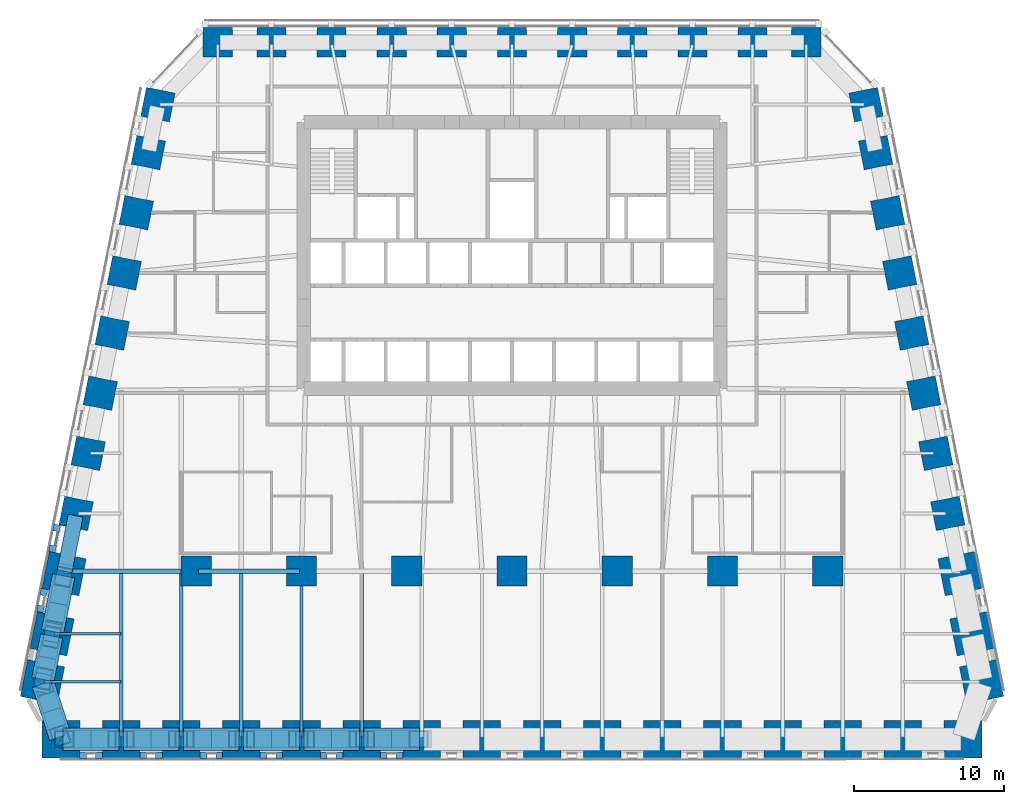
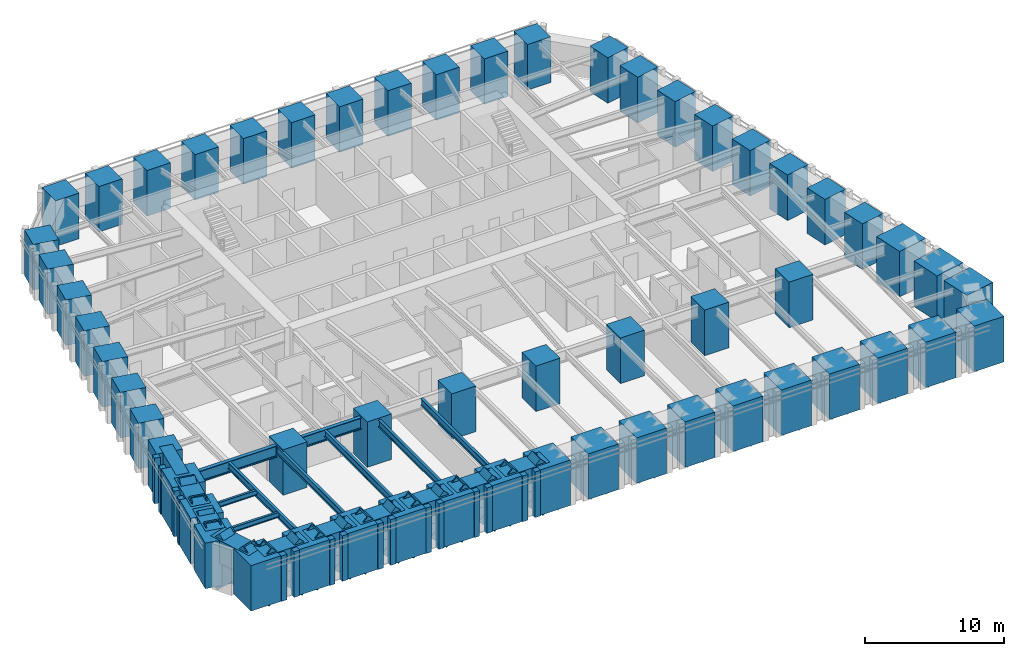
# One storey, part 1 of 16: 56 columns, 35 members, 19 beams, 8 elements without a shape of their own.
"""IFC4 building model written with IfcOpenShell, lengths in metres."""

from ifc_helpers import new_model, si_unit, direction, frame, origin, origin_2d, place, context, subcontext, project, spatial, rectangle, hollow_rectangle, i_section, extrude, material, material_profile, profile_set, type_object, element, aggregate, save


model = new_model("IFC4")

# Units and contexts
model_context = context("Model", 3, precision=1e-05, world=origin(), true_north=direction((0.0, 1.0)))
body_context = subcontext(model_context, "Body", "Model", "MODEL_VIEW")
ifc_project = project(units=[si_unit("LENGTHUNIT", "METRE"), si_unit("AREAUNIT", "SQUARE_METRE"), si_unit("VOLUMEUNIT", "CUBIC_METRE"), si_unit("PLANEANGLEUNIT", "RADIAN"), si_unit("MASSUNIT", "GRAM", prefix="KILO")], contexts=[model_context])

# Site, building, storey
site_placement = place(None, origin())
site = spatial("IfcSite", under=ifc_project, at=site_placement, CompositionType="ELEMENT")
building_placement = place(site_placement, origin())
building = spatial("IfcBuilding", under=site, at=building_placement, Name="Isbrekke Arena Tower", CompositionType="ELEMENT")
storey_placement = place(building_placement, frame((0.0, 0.0, 36.0)))
storey = spatial("IfcBuildingStorey", under=building, at=storey_placement, Name="L06", CompositionType="ELEMENT", Elevation=36.0)

# Columns
ifc_material_1 = material(Name="Concrete B90 (C90/105)", Category="concrete")
ifc_material_profile_1 = material_profile(ifc_material_1, rectangle(XDim=2.0, YDim=2.0, at=origin_2d()), Name="RC 2000x2000")
ifc_profile_set_1 = profile_set([ifc_material_profile_1], Name="Concrete B90 (C90/105)")
column_type_1 = type_object("IfcColumnType", Name="C11 RC 2000 x 2000", PredefinedType="COLUMN", material=ifc_profile_set_1)
for number, where, z_axis, x_axis, name in (
    (1, (-21.0, -6.0, 0.0), (0.0, 0.0, 1.0), (1.0, 0.0, 0.0), "C11 I01"),
    (2, (-14.0, -6.0, 0.0), (0.0, 0.0, 1.0), (1.0, 0.0, 0.0), "C11 I02"),
    (3, (-7.0, -6.0, 0.0), (0.0, 0.0, 1.0), (1.0, 0.0, 0.0), "C11 I03"),
    (4, (0.0, -6.0, 0.0), (0.0, 0.0, 1.0), (1.0, 0.0, 0.0), "C11 I04"),
    (5, (7.0, -6.0, 0.0), (0.0, 0.0, 1.0), (1.0, 0.0, 0.0), "C11 I05"),
    (6, (14.0, -6.0, 0.0), (0.0, 0.0, 1.0), (1.0, 0.0, 0.0), "C11 I06"),
    (7, (21.0, -6.0, 0.0), (0.0, 0.0, 1.0), (1.0, 0.0, 0.0), "C11 I07"),
):
    element("IfcColumn", number, at=place(storey_placement, frame(where, z_axis=z_axis, x_axis=x_axis)), inside=storey, type_object=column_type_1, Name=name, PredefinedType="COLUMN", context=body_context, shape_type="SweptSolid", body=[
        extrude(rectangle(XDim=2.0, YDim=2.0, at=origin_2d()), origin(), (0.0, 0.0, 1.0), 4.0),
    ])
ifc_material_2 = material(Name="Concrete B90 (C90/105)", Category="concrete")
ifc_material_profile_2 = material_profile(ifc_material_2, rectangle(XDim=1.949951171875, YDim=1.949951171875, at=origin_2d()), Name="RC 1950x1950")
ifc_profile_set_2 = profile_set([ifc_material_profile_2], Name="Concrete B90 (C90/105)")
column_type_2 = type_object("IfcColumnType", Name="C2 RC 1950 x 1950", PredefinedType="COLUMN", material=ifc_profile_set_2)
for number, where, z_axis, x_axis, name in (
    (8, (28.990966796875, -2.161865234375, 0.0), (0.0, 0.0, 1.0), (-0.196116135138, 0.980580675691, 0.0), "C2 E04"),
    (9, (28.19091796875, 1.838134765625, 0.0), (0.0, 0.0, 1.0), (-0.196116135138, 0.980580675691, 0.0), "C2 E05"),
    (10, (27.39111328125, 5.838134765625, 0.0), (0.0, 0.0, 1.0), (-0.196116135138, 0.980580675691, 0.0), "C2 E06"),
    (11, (26.591064453125, 9.838134765625, 0.0), (0.0, 0.0, 1.0), (-0.196116135138, 0.980580675691, 0.0), "C2 E07"),
    (12, (25.791015625, 13.838134765625, 0.0), (0.0, 0.0, 1.0), (-0.196116135138, 0.980580675691, 0.0), "C2 E08"),
    (13, (24.990966796875, 17.838134765625, 0.0), (0.0, 0.0, 1.0), (-0.196116135138, 0.980580675691, 0.0), "C2 E09"),
    (14, (24.19091796875, 21.838134765625, 0.0), (0.0, 0.0, 1.0), (-0.196116135138, 0.980580675691, 0.0), "C2 E10"),
    (15, (23.552734375, 25.029296875, 0.0), (0.0, 0.0, 1.0), (-0.196116135138, 0.980580675691, 0.0), "C2 E11"),
    (16, (19.574951171875, 29.175048828125, 0.0), (0.0, 0.0, 1.0), (-1.0, 0.0, 0.0), "C2 N01"),
    (17, (16.0, 29.175048828125, 0.0), (0.0, 0.0, 1.0), (-1.0, 0.0, 0.0), "C2 N02"),
    (18, (12.0, 29.175048828125, 0.0), (0.0, 0.0, 1.0), (-1.0, 0.0, 0.0), "C2 N03"),
    (19, (8.0, 29.175048828125, 0.0), (0.0, 0.0, 1.0), (-1.0, 0.0, 0.0), "C2 N04"),
    (20, (4.0, 29.175048828125, 0.0), (0.0, 0.0, 1.0), (-1.0, 0.0, 0.0), "C2 N05"),
    (21, (0.0, 29.175048828125, 0.0), (0.0, 0.0, 1.0), (-1.0, 0.0, 0.0), "C2 N06"),
    (22, (-4.0, 29.175048828125, 0.0), (0.0, 0.0, 1.0), (-1.0, 0.0, 0.0), "C2 N07"),
    (23, (-8.0, 29.175048828125, 0.0), (0.0, 0.0, 1.0), (-1.0, 0.0, 0.0), "C2 N08"),
    (24, (-12.0, 29.175048828125, 0.0), (0.0, 0.0, 1.0), (-1.0, 0.0, 0.0), "C2 N09"),
    (25, (-16.0, 29.175048828125, 0.0), (0.0, 0.0, 1.0), (-1.0, 0.0, 0.0), "C2 N10"),
    (26, (-19.574951171875, 29.175048828125, 0.0), (0.0, 0.0, 1.0), (-1.0, 0.0, 0.0), "C2 N11"),
    (27, (-23.552734375, 25.029296875, 0.0), (0.0, 0.0, 1.0), (-0.196116135138, -0.980580675691, 0.0), "C2 W01"),
    (28, (-24.19091796875, 21.838134765625, 0.0), (0.0, 0.0, 1.0), (-0.196116135138, -0.980580675691, 0.0), "C2 W02"),
    (29, (-24.990966796875, 17.838134765625, 0.0), (0.0, 0.0, 1.0), (-0.196116135138, -0.980580675691, 0.0), "C2 W03"),
    (30, (-25.791015625, 13.838134765625, 0.0), (0.0, 0.0, 1.0), (-0.196116135138, -0.980580675691, 0.0), "C2 W04"),
    (31, (-26.591064453125, 9.838134765625, 0.0), (0.0, 0.0, 1.0), (-0.196116135138, -0.980580675691, 0.0), "C2 W05"),
    (32, (-27.39111328125, 5.838134765625, 0.0), (0.0, 0.0, 1.0), (-0.196116135138, -0.980580675691, 0.0), "C2 W06"),
    (33, (-28.19091796875, 1.838134765625, 0.0), (0.0, 0.0, 1.0), (-0.196116135138, -0.980580675691, 0.0), "C2 W07"),
    (34, (-28.990966796875, -2.161865234375, 0.0), (0.0, 0.0, 1.0), (-0.196116135138, -0.980580675691, 0.0), "C2 W08"),
):
    element("IfcColumn", number, at=place(storey_placement, frame(where, z_axis=z_axis, x_axis=x_axis)), inside=storey, type_object=column_type_2, Name=name, PredefinedType="COLUMN", context=body_context, shape_type="SweptSolid", body=[
        extrude(rectangle(XDim=1.949951171875, YDim=1.949951171875, at=origin_2d()), origin(), (0.0, 0.0, 1.0), 4.0),
    ])
ifc_material_3 = material(Name="Concrete B90 (C90/105)", Category="concrete")
ifc_material_profile_3 = material_profile(ifc_material_3, rectangle(XDim=2.5, YDim=2.5, at=origin_2d()), Name="RC 2500x2500")
ifc_profile_set_3 = profile_set([ifc_material_profile_3], Name="Concrete B90 (C90/105)")
column_type_3 = type_object("IfcColumnType", Name="C20 RC 2500 x 2500", PredefinedType="COLUMN", material=ifc_profile_set_3)
for number, where, z_axis, x_axis, name in (
    (35, (-30.0, -17.175048828125, 0.0), (0.0, 0.0, 1.0), (1.0, 0.0, 0.0), "C20 S01"),
    (36, (-26.0, -17.175048828125, 0.0), (0.0, 0.0, 1.0), (1.0, 0.0, 0.0), "C20 S02"),
    (37, (-22.0, -17.175048828125, 0.0), (0.0, 0.0, 1.0), (1.0, 0.0, 0.0), "C20 S03"),
    (38, (-18.0, -17.175048828125, 0.0), (0.0, 0.0, 1.0), (1.0, 0.0, 0.0), "C20 S04"),
    (39, (-14.0, -17.175048828125, 0.0), (0.0, 0.0, 1.0), (1.0, 0.0, 0.0), "C20 S05"),
    (40, (-10.0, -17.175048828125, 0.0), (0.0, 0.0, 1.0), (1.0, 0.0, 0.0), "C20 S06"),
    (41, (-6.0, -17.175048828125, 0.0), (0.0, 0.0, 1.0), (1.0, 0.0, 0.0), "C20 S07"),
    (42, (-2.0, -17.175048828125, 0.0), (0.0, 0.0, 1.0), (1.0, 0.0, 0.0), "C20 S08"),
    (43, (2.0, -17.175048828125, 0.0), (0.0, 0.0, 1.0), (1.0, 0.0, 0.0), "C20 S09"),
    (44, (6.0, -17.175048828125, 0.0), (0.0, 0.0, 1.0), (1.0, 0.0, 0.0), "C20 S10"),
    (45, (10.0, -17.175048828125, 0.0), (0.0, 0.0, 1.0), (1.0, 0.0, 0.0), "C20 S11"),
    (46, (14.0, -17.175048828125, 0.0), (0.0, 0.0, 1.0), (1.0, 0.0, 0.0), "C20 S12"),
    (47, (18.0, -17.175048828125, 0.0), (0.0, 0.0, 1.0), (1.0, 0.0, 0.0), "C20 S13"),
    (48, (22.0, -17.175048828125, 0.0), (0.0, 0.0, 1.0), (1.0, 0.0, 0.0), "C20 S14"),
    (49, (26.0, -17.175048828125, 0.0), (0.0, 0.0, 1.0), (1.0, 0.0, 0.0), "C20 S15"),
    (50, (30.0, -17.175048828125, 0.0), (0.0, 0.0, 1.0), (1.0, 0.0, 0.0), "C20 S16"),
    (51, (31.229248046875, -13.352783203125, 0.0), (0.0, 0.0, 1.0), (-0.196116135138, 0.980580675691, 0.0), "C20 E01"),
    (52, (30.591064453125, -10.161865234375, 0.0), (0.0, 0.0, 1.0), (-0.196116135138, 0.980580675691, 0.0), "C20 E02"),
    (53, (29.791015625, -6.161865234375, 0.0), (0.0, 0.0, 1.0), (-0.196116135138, 0.980580675691, 0.0), "C20 E03"),
    (54, (-29.791015625, -6.161865234375, 0.0), (0.0, 0.0, 1.0), (-0.196116135138, -0.980580675691, 0.0), "C20 W09"),
    (55, (-30.591064453125, -10.161865234375, 0.0), (0.0, 0.0, 1.0), (-0.196116135138, -0.980580675691, 0.0), "C20 W10"),
    (56, (-31.229248046875, -13.352783203125, 0.0), (0.0, 0.0, 1.0), (-0.196116135138, -0.980580675691, 0.0), "C20 W11"),
):
    element("IfcColumn", number, at=place(storey_placement, frame(where, z_axis=z_axis, x_axis=x_axis)), inside=storey, type_object=column_type_3, Name=name, PredefinedType="COLUMN", context=body_context, shape_type="SweptSolid", body=[
        extrude(rectangle(XDim=2.5, YDim=2.5, at=origin_2d()), origin(), (0.0, 0.0, 1.0), 4.0),
    ])

# Beams
ifc_material_4 = material(Name="Steel S355", Category="steel")
ifc_material_profile_4 = material_profile(ifc_material_4, i_section(OverallWidth=0.219970703125, OverallDepth=0.60009765625, WebThickness=0.011962890625, FlangeThickness=0.01904296875, FilletRadius=0.02392578125, at=origin_2d()), Name="IPE 600")
ifc_profile_set_4 = profile_set([ifc_material_profile_4], Name="Steel S355")
beam_type_1 = type_object("IfcBeamType", Name="B1 IPE 600", PredefinedType="BEAM", material=ifc_profile_set_4)
for number, where, z_axis, x_axis, name in (
    (57, (-26.0, -17.02490234375, 3.550048828125), (0.0, 1.0, 0.0), (-1.0, 0.0, 0.0), "B1 beam S-S02 L06"),
    (58, (-22.0, -17.02490234375, 3.550048828125), (0.0, 1.0, 0.0), (-1.0, 0.0, 0.0), "B1 beam S-S03 L06"),
    (59, (-18.0, -17.02490234375, 3.550048828125), (0.0, 1.0, 0.0), (-1.0, 0.0, 0.0), "B1 beam S-S04 L06"),
):
    element("IfcBeam", number, at=place(storey_placement, frame(where, z_axis=z_axis, x_axis=x_axis)), inside=storey, type_object=beam_type_1, Name=name, PredefinedType="BEAM", context=body_context, shape_type="SweptSolid", body=[
        extrude(i_section(OverallWidth=0.219970703125, OverallDepth=0.60009765625, WebThickness=0.011962890625, FlangeThickness=0.01904296875, FilletRadius=0.02392578125, at=origin_2d()), origin(), (0.0, 0.0, 1.0), 10.8740234375),
    ])
beam_1_placement = place(storey_placement, frame((-14.0, -17.02490234375, 3.550048828125), z_axis=(0.0, 1.0, 0.0), x_axis=(-1.0, 0.0, 0.0)))
element("IfcBeam", 60, at=beam_1_placement, inside=storey, type_object=beam_type_1, Name="B1 beam S-S05 L06", PredefinedType="BEAM", context=body_context, shape_type="SweptSolid", body=[
    extrude(i_section(OverallWidth=0.219970703125, OverallDepth=0.60009765625, WebThickness=0.011962890625, FlangeThickness=0.01904296875, FilletRadius=0.02392578125, at=origin_2d()), origin(), (0.0, 0.0, 1.0), 10.875),
])
beam_2_placement = place(storey_placement, frame((-10.0, -17.02490234375, 3.550048828125), z_axis=(0.0, 1.0, 0.0), x_axis=(-1.0, 0.0, 0.0)))
element("IfcBeam", 61, at=beam_2_placement, inside=storey, type_object=beam_type_1, Name="B1 beam S-S06 L06", PredefinedType="BEAM", context=body_context, shape_type="SweptSolid", body=[
    extrude(i_section(OverallWidth=0.219970703125, OverallDepth=0.60009765625, WebThickness=0.011962890625, FlangeThickness=0.01904296875, FilletRadius=0.02392578125, at=origin_2d()), origin(), (0.0, 0.0, 1.0), 10.8740234375),
])
ifc_material_5 = material(Name="Steel S355", Category="steel")
ifc_material_profile_5 = material_profile(ifc_material_5, i_section(OverallWidth=0.18994140625, OverallDepth=0.449951171875, WebThickness=0.009521484375, FlangeThickness=0.0146484375, FilletRadius=0.02099609375, at=origin_2d()), Name="IPE 450")
ifc_profile_set_5 = profile_set([ifc_material_profile_5], Name="Steel S355")
beam_type_2 = type_object("IfcBeamType", Name="B2 IPE 450", PredefinedType="BEAM", material=ifc_profile_set_5)
beam_3_placement = place(storey_placement, frame((-30.44091796875, -10.161865234375, 3.625), z_axis=(1.0, 0.0, 0.0), x_axis=(0.0, 1.0, 0.0)))
element("IfcBeam", 62, at=beam_3_placement, inside=storey, type_object=beam_type_2, Name="B2 beam E-W10 L06", PredefinedType="BEAM", context=body_context, shape_type="SweptSolid", body=[
    extrude(i_section(OverallWidth=0.18994140625, OverallDepth=0.449951171875, WebThickness=0.009521484375, FlangeThickness=0.0146484375, FilletRadius=0.02099609375, at=origin_2d()), origin(), (0.0, 0.0, 1.0), 4.44091796875),
])
beam_4_placement = place(storey_placement, frame((-31.079345703125, -13.352783203125, 3.625), z_axis=(1.0, 0.0, 0.0), x_axis=(0.0, 1.0, 0.0)))
element("IfcBeam", 63, at=beam_4_placement, inside=storey, type_object=beam_type_2, Name="B2 beam E-W11 L06", PredefinedType="BEAM", context=body_context, shape_type="SweptSolid", body=[
    extrude(i_section(OverallWidth=0.18994140625, OverallDepth=0.449951171875, WebThickness=0.009521484375, FlangeThickness=0.0146484375, FilletRadius=0.02099609375, at=origin_2d()), origin(), (0.0, 0.0, 1.0), 5.079345703125),
])

# Curtain wall, members
ifc_material_6 = material(Name="Glazed aluminium curtain wall", Category="aluminium")
curtain_wall_type = type_object("IfcCurtainWallType", Name="CWL TOWER CURTAIN WALL LOW ZONE", PredefinedType="USERDEFINED", material=ifc_material_6)
curtain_wall_1_placement = place(storey_placement, origin())
curtain_wall_1 = element("IfcCurtainWall", 64, at=curtain_wall_1_placement, inside=storey, type_object=curtain_wall_type, Name="CWL curtain wall L06-S", ObjectType="TOWER CURTAIN WALL LOW ZONE", PredefinedType="USERDEFINED")
ifc_material_7 = material(Name="Aluminium mullion, pale brick slip cladding", Category="masonry")
ifc_material_profile_6 = material_profile(ifc_material_7, rectangle(XDim=0.449951171875, YDim=0.449951171875, at=origin_2d()), Name="PIER 450X450")
ifc_profile_set_6 = profile_set([ifc_material_profile_6], Name="Aluminium mullion, pale brick slip cladding")
member_type_1 = type_object("IfcMemberType", Name="CWL-M PIER MULLION 450 x 450", PredefinedType="MULLION", material=ifc_profile_set_6)
member_1_placement = place(storey_placement, frame((-28.527099609375, -18.25, 0.0), z_axis=(0.0, 0.0, 1.0), x_axis=(1.0, 0.0, 0.0)))
member_1 = element("IfcMember", 65, at=member_1_placement, type_object=member_type_1, Name="CWL-M mullion 1", PredefinedType="MULLION", context=body_context, shape_type="SweptSolid", body=[
    extrude(rectangle(XDim=0.449951171875, YDim=0.449951171875, at=origin_2d()), origin(), (0.0, 0.0, 1.0), 4.0),
])
member_2_placement = place(storey_placement, frame((-27.47509765625, -18.25, 0.0), z_axis=(0.0, 0.0, 1.0), x_axis=(1.0, 0.0, 0.0)))
member_2 = element("IfcMember", 66, at=member_2_placement, type_object=member_type_1, Name="CWL-M mullion 2", PredefinedType="MULLION", context=body_context, shape_type="SweptSolid", body=[
    extrude(rectangle(XDim=0.449951171875, YDim=0.449951171875, at=origin_2d()), origin(), (0.0, 0.0, 1.0), 4.0),
])
aggregate(curtain_wall_1, [member_1, member_2])

curtain_wall_2_placement = place(storey_placement, origin())
curtain_wall_2 = element("IfcCurtainWall", 67, at=curtain_wall_2_placement, inside=storey, type_object=curtain_wall_type, Name="CWL curtain wall L06-S3", ObjectType="TOWER CURTAIN WALL LOW ZONE", PredefinedType="USERDEFINED")
member_3_placement = place(storey_placement, frame((-24.52490234375, -18.25, 0.0), z_axis=(0.0, 0.0, 1.0), x_axis=(1.0, 0.0, 0.0)))
member_3 = element("IfcMember", 68, at=member_3_placement, type_object=member_type_1, Name="CWL-M mullion 1", PredefinedType="MULLION", context=body_context, shape_type="SweptSolid", body=[
    extrude(rectangle(XDim=0.449951171875, YDim=0.449951171875, at=origin_2d()), origin(), (0.0, 0.0, 1.0), 4.0),
])
member_4_placement = place(storey_placement, frame((-23.47509765625, -18.25, 0.0), z_axis=(0.0, 0.0, 1.0), x_axis=(1.0, 0.0, 0.0)))
member_4 = element("IfcMember", 69, at=member_4_placement, type_object=member_type_1, Name="CWL-M mullion 2", PredefinedType="MULLION", context=body_context, shape_type="SweptSolid", body=[
    extrude(rectangle(XDim=0.449951171875, YDim=0.449951171875, at=origin_2d()), origin(), (0.0, 0.0, 1.0), 4.0),
])
aggregate(curtain_wall_2, [member_3, member_4])

curtain_wall_3_placement = place(storey_placement, origin())
curtain_wall_3 = element("IfcCurtainWall", 70, at=curtain_wall_3_placement, inside=storey, type_object=curtain_wall_type, Name="CWL curtain wall L06-S5", ObjectType="TOWER CURTAIN WALL LOW ZONE", PredefinedType="USERDEFINED")
member_5_placement = place(storey_placement, frame((-20.52490234375, -18.25, 0.0), z_axis=(0.0, 0.0, 1.0), x_axis=(1.0, 0.0, 0.0)))
member_5 = element("IfcMember", 71, at=member_5_placement, type_object=member_type_1, Name="CWL-M mullion 1", PredefinedType="MULLION", context=body_context, shape_type="SweptSolid", body=[
    extrude(rectangle(XDim=0.449951171875, YDim=0.449951171875, at=origin_2d()), origin(), (0.0, 0.0, 1.0), 4.0),
])
member_6_placement = place(storey_placement, frame((-19.47509765625, -18.25, 0.0), z_axis=(0.0, 0.0, 1.0), x_axis=(1.0, 0.0, 0.0)))
member_6 = element("IfcMember", 72, at=member_6_placement, type_object=member_type_1, Name="CWL-M mullion 2", PredefinedType="MULLION", context=body_context, shape_type="SweptSolid", body=[
    extrude(rectangle(XDim=0.449951171875, YDim=0.449951171875, at=origin_2d()), origin(), (0.0, 0.0, 1.0), 4.0),
])
aggregate(curtain_wall_3, [member_5, member_6])

curtain_wall_4_placement = place(storey_placement, origin())
curtain_wall_4 = element("IfcCurtainWall", 73, at=curtain_wall_4_placement, inside=storey, type_object=curtain_wall_type, Name="CWL curtain wall L06-S7", ObjectType="TOWER CURTAIN WALL LOW ZONE", PredefinedType="USERDEFINED")
member_7_placement = place(storey_placement, frame((-16.52490234375, -18.25, 0.0), z_axis=(0.0, 0.0, 1.0), x_axis=(1.0, 0.0, 0.0)))
member_7 = element("IfcMember", 74, at=member_7_placement, type_object=member_type_1, Name="CWL-M mullion 1", PredefinedType="MULLION", context=body_context, shape_type="SweptSolid", body=[
    extrude(rectangle(XDim=0.449951171875, YDim=0.449951171875, at=origin_2d()), origin(), (0.0, 0.0, 1.0), 4.0),
])
member_8_placement = place(storey_placement, frame((-15.47509765625, -18.25, 0.0), z_axis=(0.0, 0.0, 1.0), x_axis=(1.0, 0.0, 0.0)))
member_8 = element("IfcMember", 75, at=member_8_placement, type_object=member_type_1, Name="CWL-M mullion 2", PredefinedType="MULLION", context=body_context, shape_type="SweptSolid", body=[
    extrude(rectangle(XDim=0.449951171875, YDim=0.449951171875, at=origin_2d()), origin(), (0.0, 0.0, 1.0), 4.0),
])
aggregate(curtain_wall_4, [member_7, member_8])

curtain_wall_5_placement = place(storey_placement, origin())
curtain_wall_5 = element("IfcCurtainWall", 76, at=curtain_wall_5_placement, inside=storey, type_object=curtain_wall_type, Name="CWL curtain wall L06-S9", ObjectType="TOWER CURTAIN WALL LOW ZONE", PredefinedType="USERDEFINED")
member_9_placement = place(storey_placement, frame((-12.52490234375, -18.25, 0.0), z_axis=(0.0, 0.0, 1.0), x_axis=(1.0, 0.0, 0.0)))
member_9 = element("IfcMember", 77, at=member_9_placement, type_object=member_type_1, Name="CWL-M mullion 1", PredefinedType="MULLION", context=body_context, shape_type="SweptSolid", body=[
    extrude(rectangle(XDim=0.449951171875, YDim=0.449951171875, at=origin_2d()), origin(), (0.0, 0.0, 1.0), 4.0),
])
member_10_placement = place(storey_placement, frame((-11.47509765625, -18.25, 0.0), z_axis=(0.0, 0.0, 1.0), x_axis=(1.0, 0.0, 0.0)))
member_10 = element("IfcMember", 78, at=member_10_placement, type_object=member_type_1, Name="CWL-M mullion 2", PredefinedType="MULLION", context=body_context, shape_type="SweptSolid", body=[
    extrude(rectangle(XDim=0.449951171875, YDim=0.449951171875, at=origin_2d()), origin(), (0.0, 0.0, 1.0), 4.0),
])
aggregate(curtain_wall_5, [member_9, member_10])

curtain_wall_6_placement = place(storey_placement, origin())
curtain_wall_6 = element("IfcCurtainWall", 79, at=curtain_wall_6_placement, inside=storey, type_object=curtain_wall_type, Name="CWL curtain wall L06-S11", ObjectType="TOWER CURTAIN WALL LOW ZONE", PredefinedType="USERDEFINED")
member_11_placement = place(storey_placement, frame((-8.52490234375, -18.25, 0.0), z_axis=(0.0, 0.0, 1.0), x_axis=(1.0, 0.0, 0.0)))
member_11 = element("IfcMember", 80, at=member_11_placement, type_object=member_type_1, Name="CWL-M mullion 1", PredefinedType="MULLION", context=body_context, shape_type="SweptSolid", body=[
    extrude(rectangle(XDim=0.449951171875, YDim=0.449951171875, at=origin_2d()), origin(), (0.0, 0.0, 1.0), 4.0),
])
member_12_placement = place(storey_placement, frame((-7.47509765625, -18.25, 0.0), z_axis=(0.0, 0.0, 1.0), x_axis=(1.0, 0.0, 0.0)))
member_12 = element("IfcMember", 81, at=member_12_placement, type_object=member_type_1, Name="CWL-M mullion 2", PredefinedType="MULLION", context=body_context, shape_type="SweptSolid", body=[
    extrude(rectangle(XDim=0.449951171875, YDim=0.449951171875, at=origin_2d()), origin(), (0.0, 0.0, 1.0), 4.0),
])
aggregate(curtain_wall_6, [member_11, member_12])

curtain_wall_7_placement = place(storey_placement, origin())
curtain_wall_7 = element("IfcCurtainWall", 82, at=curtain_wall_7_placement, inside=storey, type_object=curtain_wall_type, Name="CWL curtain wall L06-W15", ObjectType="TOWER CURTAIN WALL LOW ZONE", PredefinedType="USERDEFINED")
member_13_placement = place(storey_placement, frame((-30.280517578125, -3.127685546875, 0.0), z_axis=(0.0, 0.0, 1.0), x_axis=(-0.196116135138, -0.980580675691, 0.0)))
member_13 = element("IfcMember", 83, at=member_13_placement, type_object=member_type_1, Name="CWL-M mullion 1", PredefinedType="MULLION", context=body_context, shape_type="SweptSolid", body=[
    extrude(rectangle(XDim=0.449951171875, YDim=0.449951171875, at=origin_2d()), origin(), (0.0, 0.0, 1.0), 4.0),
])
member_14_placement = place(storey_placement, frame((-30.555908203125, -4.504638671875, 0.0), z_axis=(0.0, 0.0, 1.0), x_axis=(-0.196116135138, -0.980580675691, 0.0)))
member_14 = element("IfcMember", 84, at=member_14_placement, type_object=member_type_1, Name="CWL-M mullion 2", PredefinedType="MULLION", context=body_context, shape_type="SweptSolid", body=[
    extrude(rectangle(XDim=0.449951171875, YDim=0.449951171875, at=origin_2d()), origin(), (0.0, 0.0, 1.0), 4.0),
])

curtain_wall_8_placement = place(storey_placement, origin())
curtain_wall_8 = element("IfcCurtainWall", 85, at=curtain_wall_8_placement, inside=storey, type_object=curtain_wall_type, Name="CWL curtain wall L06-W17", ObjectType="TOWER CURTAIN WALL LOW ZONE", PredefinedType="USERDEFINED")
member_15_placement = place(storey_placement, frame((-31.134521484375, -7.397216796875, 0.0), z_axis=(0.0, 0.0, 1.0), x_axis=(-0.196116135138, -0.980580675691, 0.0)))
member_15 = element("IfcMember", 86, at=member_15_placement, type_object=member_type_1, Name="CWL-M mullion 1", PredefinedType="MULLION", context=body_context, shape_type="SweptSolid", body=[
    extrude(rectangle(XDim=0.449951171875, YDim=0.449951171875, at=origin_2d()), origin(), (0.0, 0.0, 1.0), 4.0),
])
member_16_placement = place(storey_placement, frame((-31.35595703125, -8.504638671875, 0.0), z_axis=(0.0, 0.0, 1.0), x_axis=(-0.196116135138, -0.980580675691, 0.0)))
member_16 = element("IfcMember", 87, at=member_16_placement, type_object=member_type_1, Name="CWL-M mullion 2", PredefinedType="MULLION", context=body_context, shape_type="SweptSolid", body=[
    extrude(rectangle(XDim=0.449951171875, YDim=0.449951171875, at=origin_2d()), origin(), (0.0, 0.0, 1.0), 4.0),
])
aggregate(curtain_wall_8, [member_15, member_16])

# Member
ifc_material_8 = material(Name="Aluminium transom", Category="aluminium")
ifc_material_profile_7 = material_profile(ifc_material_8, rectangle(XDim=0.1201171875, YDim=0.199951171875, at=origin_2d()), Name="TRANSOM 120X200")
ifc_profile_set_7 = profile_set([ifc_material_profile_7], Name="Aluminium transom")
member_type_2 = type_object("IfcMemberType", Name="CWL-T TRANSOM 120 x 200", PredefinedType="USERDEFINED", material=ifc_profile_set_7)
member_17_placement = place(storey_placement, frame((-30.2021484375, -3.372802734375, 3.0), z_axis=(-0.19596853661, -0.980610183844, 0.0), x_axis=(0.980610183844, -0.19596853661, 0.0)))
member_17 = element("IfcMember", 88, at=member_17_placement, type_object=member_type_2, Name="CWL-T transom 1", ObjectType="TRANSOM", PredefinedType="USERDEFINED", context=body_context, shape_type="SweptSolid", body=[
    extrude(rectangle(XDim=0.1201171875, YDim=0.199951171875, at=origin_2d()), origin(), (0.0, 0.0, 1.0), 0.954345703125),
])

aggregate(curtain_wall_7, [member_13, member_14, member_17])

# Beams
ifc_material_9 = material(Name="Steel S355", Category="steel")
ifc_material_profile_8 = material_profile(ifc_material_9, i_section(OverallWidth=0.302001953125, OverallDepth=1.008056640625, WebThickness=0.02099609375, FlangeThickness=0.0400390625, FilletRadius=0.030029296875, at=origin_2d()), Name="HEM 1000")
ifc_profile_set_8 = profile_set([ifc_material_profile_8], Name="Steel S355")
beam_type_3 = type_object("IfcBeamType", Name="G1 HEM 1000", PredefinedType="BEAM", material=ifc_profile_set_8)
beam_5_placement = place(storey_placement, frame((-29.791015625, -6.0, 3.345947265625), z_axis=(1.0, 0.0, 0.0), x_axis=(0.0, 1.0, 0.0)))
element("IfcBeam", 89, at=beam_5_placement, inside=storey, type_object=beam_type_3, Name="G1 beam G1-01 L06", PredefinedType="BEAM", context=body_context, shape_type="SweptSolid", body=[
    extrude(i_section(OverallWidth=0.302001953125, OverallDepth=1.008056640625, WebThickness=0.02099609375, FlangeThickness=0.0400390625, FilletRadius=0.030029296875, at=origin_2d()), origin(), (0.0, 0.0, 1.0), 8.64111328125),
])
beam_6_placement = place(storey_placement, frame((-20.85009765625, -6.0, 3.345947265625), z_axis=(1.0, 0.0, 0.0), x_axis=(0.0, 1.0, 0.0)))
element("IfcBeam", 90, at=beam_6_placement, inside=storey, type_object=beam_type_3, Name="G1 beam G1-02 L06", PredefinedType="BEAM", context=body_context, shape_type="SweptSolid", body=[
    extrude(i_section(OverallWidth=0.302001953125, OverallDepth=1.008056640625, WebThickness=0.02099609375, FlangeThickness=0.0400390625, FilletRadius=0.030029296875, at=origin_2d()), origin(), (0.0, 0.0, 1.0), 6.7001953125),
])
ifc_material_10 = material(Name="Concrete B90 (C90/105)", Category="concrete")
ifc_material_profile_9 = material_profile(ifc_material_10, rectangle(XDim=1.0, YDim=1.60009765625, at=origin_2d()), Name="RC 1000x1600")
ifc_profile_set_9 = profile_set([ifc_material_profile_9], Name="Concrete B90 (C90/105)")
beam_type_4 = type_object("IfcBeamType", Name="SB1 RC 1000 x 1600", PredefinedType="SPANDREL", material=ifc_profile_set_9)
beam_7_placement = place(storey_placement, frame((-29.0205078125, -2.308837890625, 3.199951171875), z_axis=(-0.196128558387, -0.980578190959, 0.0), x_axis=(0.980578190959, -0.196128558387, 0.0)))
element("IfcBeam", 91, at=beam_7_placement, inside=storey, type_object=beam_type_4, Name="SB1 spandrel W08-W09 L06", PredefinedType="SPANDREL", context=body_context, shape_type="SweptSolid", body=[
    extrude(rectangle(XDim=1.0, YDim=1.60009765625, at=origin_2d()), origin(), (0.0, 0.0, 1.0), 3.779296875),
])
ifc_material_11 = material(Name="Concrete B90 (C90/105)", Category="concrete")
ifc_material_profile_10 = material_profile(ifc_material_11, rectangle(XDim=1.5, YDim=2.0, at=origin_2d()), Name="RC 1500x2000")
ifc_profile_set_10 = profile_set([ifc_material_profile_10], Name="Concrete B90 (C90/105)")
beam_type_5 = type_object("IfcBeamType", Name="SB6 RC 1500 x 2000", PredefinedType="SPANDREL", material=ifc_profile_set_10)
for number, where, z_axis, x_axis, name in (
    (92, (-29.85009765625, -17.175048828125, 3.0), (1.0, 0.0, 0.0), (0.0, 1.0, 0.0), "SB6 spandrel S01-S02 L06"),
    (93, (-25.85009765625, -17.175048828125, 3.0), (1.0, 0.0, 0.0), (0.0, 1.0, 0.0), "SB6 spandrel S02-S03 L06"),
    (94, (-21.85009765625, -17.175048828125, 3.0), (1.0, 0.0, 0.0), (0.0, 1.0, 0.0), "SB6 spandrel S03-S04 L06"),
    (95, (-17.85009765625, -17.175048828125, 3.0), (1.0, 0.0, 0.0), (0.0, 1.0, 0.0), "SB6 spandrel S04-S05 L06"),
    (96, (-13.85009765625, -17.175048828125, 3.0), (1.0, 0.0, 0.0), (0.0, 1.0, 0.0), "SB6 spandrel S05-S06 L06"),
    (97, (-9.85009765625, -17.175048828125, 3.0), (1.0, 0.0, 0.0), (0.0, 1.0, 0.0), "SB6 spandrel S06-S07 L06"),
):
    element("IfcBeam", number, at=place(storey_placement, frame(where, z_axis=z_axis, x_axis=x_axis)), inside=storey, type_object=beam_type_5, Name=name, PredefinedType="SPANDREL", context=body_context, shape_type="SweptSolid", body=[
        extrude(rectangle(XDim=1.5, YDim=2.0, at=origin_2d()), origin(), (0.0, 0.0, 1.0), 3.7001953125),
    ])
beam_8_placement = place(storey_placement, frame((-29.820556640625, -6.308837890625, 3.0), z_axis=(-0.1960664412, -0.980590613169, 0.0), x_axis=(0.980590613169, -0.1960664412, 0.0)))
element("IfcBeam", 98, at=beam_8_placement, inside=storey, type_object=beam_type_5, Name="SB6 spandrel W09-W10 L06", PredefinedType="SPANDREL", context=body_context, shape_type="SweptSolid", body=[
    extrude(rectangle(XDim=1.5, YDim=2.0, at=origin_2d()), origin(), (0.0, 0.0, 1.0), 3.779052734375),
])
beam_9_placement = place(storey_placement, frame((-30.620361328125, -10.308837890625, 3.0), z_axis=(-0.196100243168, -0.980583853951, 0.0), x_axis=(0.980583853951, -0.196100243168, 0.0)))
element("IfcBeam", 99, at=beam_9_placement, inside=storey, type_object=beam_type_5, Name="SB6 spandrel W10-W11 L06", PredefinedType="SPANDREL", context=body_context, shape_type="SweptSolid", body=[
    extrude(rectangle(XDim=1.5, YDim=2.0, at=origin_2d()), origin(), (0.0, 0.0, 1.0), 2.954345703125),
])
beam_10_placement = place(storey_placement, frame((-31.183349609375, -13.49560546875, 3.0), z_axis=(0.306175101476, -0.951975213562, 0.0), x_axis=(0.951975213562, 0.306175101476, 0.0)))
element("IfcBeam", 100, at=beam_10_placement, inside=storey, type_object=beam_type_5, Name="SB6 spandrel W11-S01 L06", PredefinedType="SPANDREL", context=body_context, shape_type="SweptSolid", body=[
    extrude(rectangle(XDim=1.5, YDim=2.0, at=origin_2d()), origin(), (0.0, 0.0, 1.0), 3.715087890625),
])

# Members
ifc_material_12 = material(Name="Steel S460", Category="steel")
ifc_material_profile_11 = material_profile(ifc_material_12, hollow_rectangle(XDim=1.199951171875, YDim=1.800048828125, WallThickness=0.090087890625, at=origin_2d()), Name="BOX 1200x1800x90")
ifc_profile_set_11 = profile_set([ifc_material_profile_11], Name="Steel S460")
member_type_3 = type_object("IfcMemberType", Name="TB1 BOX 1200x1800x90", PredefinedType="BRACE", material=ifc_profile_set_11)
for number, where, z_axis, x_axis, name in (
    (101, (-29.791015625, -6.161865234375, 0.0), (-0.140032438362, -0.700117005481, 0.700162191812), (0.980578241477, -0.196128305817, 0.0), "TB1 transfer brace W09-W10 L06 A"),
    (102, (-29.83447265625, -6.37890625, 3.782958984375), (-0.140028008403, -0.700140042014, -0.700140042014), (0.980580675691, -0.196116135138, 0.0), "TB1 transfer brace W09-W10 L06 B"),
):
    element("IfcMember", number, at=place(storey_placement, frame(where, z_axis=z_axis, x_axis=x_axis)), inside=storey, type_object=member_type_3, Name=name, PredefinedType="BRACE", context=body_context, shape_type="SweptSolid", body=[
        extrude(hollow_rectangle(XDim=1.199951171875, YDim=1.800048828125, WallThickness=0.090087890625, at=origin_2d()), origin(), (0.0, 0.0, 1.0), 5.403076171875),
    ])
for number, where, z_axis, x_axis, name in (
    (103, (-30.591064453125, -10.161865234375, 0.0), (-0.123773292261, -0.618815796836, 0.775723650348), (0.980577587758, -0.196131574168, 0.0), "TB1 transfer brace W10-W11 L06 A"),
    (104, (-30.6328125, -10.370849609375, 3.738037109375), (-0.123773292261, -0.618815796836, -0.775723650348), (0.980577587758, -0.196131574168, 0.0), "TB1 transfer brace W10-W11 L06 B"),
):
    element("IfcMember", number, at=place(storey_placement, frame(where, z_axis=z_axis, x_axis=x_axis)), inside=storey, type_object=member_type_3, Name=name, PredefinedType="BRACE", context=body_context, shape_type="SweptSolid", body=[
        extrude(hollow_rectangle(XDim=1.199951171875, YDim=1.800048828125, WallThickness=0.090087890625, at=origin_2d()), origin(), (0.0, 0.0, 1.0), 4.81884765625),
    ])
for number, where, z_axis, x_axis, name in (
    (105, (-31.229248046875, -13.352783203125, 0.0), (0.216888895255, -0.67441597421, 0.705777798493), (0.951982356028, 0.306152892868, 0.0), "TB1 transfer brace W11-S01 L06 A"),
    (106, (-31.16162109375, -13.56298828125, 3.780029296875), (0.216888895255, -0.67441597421, -0.705777798493), (0.951982356028, 0.306152892868, 0.0), "TB1 transfer brace W11-S01 L06 B"),
):
    element("IfcMember", number, at=place(storey_placement, frame(where, z_axis=z_axis, x_axis=x_axis)), inside=storey, type_object=member_type_3, Name=name, PredefinedType="BRACE", context=body_context, shape_type="SweptSolid", body=[
        extrude(hollow_rectangle(XDim=1.199951171875, YDim=1.800048828125, WallThickness=0.090087890625, at=origin_2d()), origin(), (0.0, 0.0, 1.0), 5.355712890625),
    ])
for number, where, z_axis, x_axis, name in (
    (107, (-30.0, -17.175048828125, 0.0), (0.707106781187, 0.0, 0.707106781187), (0.0, 1.0, 0.0), "TB1 transfer brace S01-S02 L06 A"),
    (108, (-29.779296875, -17.175048828125, 3.779296875), (0.707106781187, 0.0, -0.707106781187), (0.0, 1.0, 0.0), "TB1 transfer brace S01-S02 L06 B"),
    (109, (-26.0, -17.175048828125, 0.0), (0.707106781187, 0.0, 0.707106781187), (0.0, 1.0, 0.0), "TB1 transfer brace S02-S03 L06 A"),
    (110, (-25.779296875, -17.175048828125, 3.779296875), (0.707106781187, 0.0, -0.707106781187), (0.0, 1.0, 0.0), "TB1 transfer brace S02-S03 L06 B"),
    (111, (-22.0, -17.175048828125, 0.0), (0.707106781187, 0.0, 0.707106781187), (0.0, 1.0, 0.0), "TB1 transfer brace S03-S04 L06 A"),
    (112, (-21.779296875, -17.175048828125, 3.779296875), (0.707106781187, 0.0, -0.707106781187), (0.0, 1.0, 0.0), "TB1 transfer brace S03-S04 L06 B"),
    (113, (-18.0, -17.175048828125, 0.0), (0.707106781187, 0.0, 0.707106781187), (0.0, 1.0, 0.0), "TB1 transfer brace S04-S05 L06 A"),
    (114, (-17.779296875, -17.175048828125, 3.779296875), (0.707106781187, 0.0, -0.707106781187), (0.0, 1.0, 0.0), "TB1 transfer brace S04-S05 L06 B"),
    (115, (-14.0, -17.175048828125, 0.0), (0.707106781187, 0.0, 0.707106781187), (0.0, 1.0, 0.0), "TB1 transfer brace S05-S06 L06 A"),
    (116, (-13.779296875, -17.175048828125, 3.779296875), (0.707106781187, 0.0, -0.707106781187), (0.0, 1.0, 0.0), "TB1 transfer brace S05-S06 L06 B"),
    (117, (-10.0, -17.175048828125, 0.0), (0.707106781187, 0.0, 0.707106781187), (0.0, 1.0, 0.0), "TB1 transfer brace S06-S07 L06 A"),
    (118, (-9.779296875, -17.175048828125, 3.779296875), (0.707106781187, 0.0, -0.707106781187), (0.0, 1.0, 0.0), "TB1 transfer brace S06-S07 L06 B"),
):
    element("IfcMember", number, at=place(storey_placement, frame(where, z_axis=z_axis, x_axis=x_axis)), inside=storey, type_object=member_type_3, Name=name, PredefinedType="BRACE", context=body_context, shape_type="SweptSolid", body=[
        extrude(hollow_rectangle(XDim=1.199951171875, YDim=1.800048828125, WallThickness=0.090087890625, at=origin_2d()), origin(), (0.0, 0.0, 1.0), 5.3447265625),
    ])

save(model, "model.ifc")
